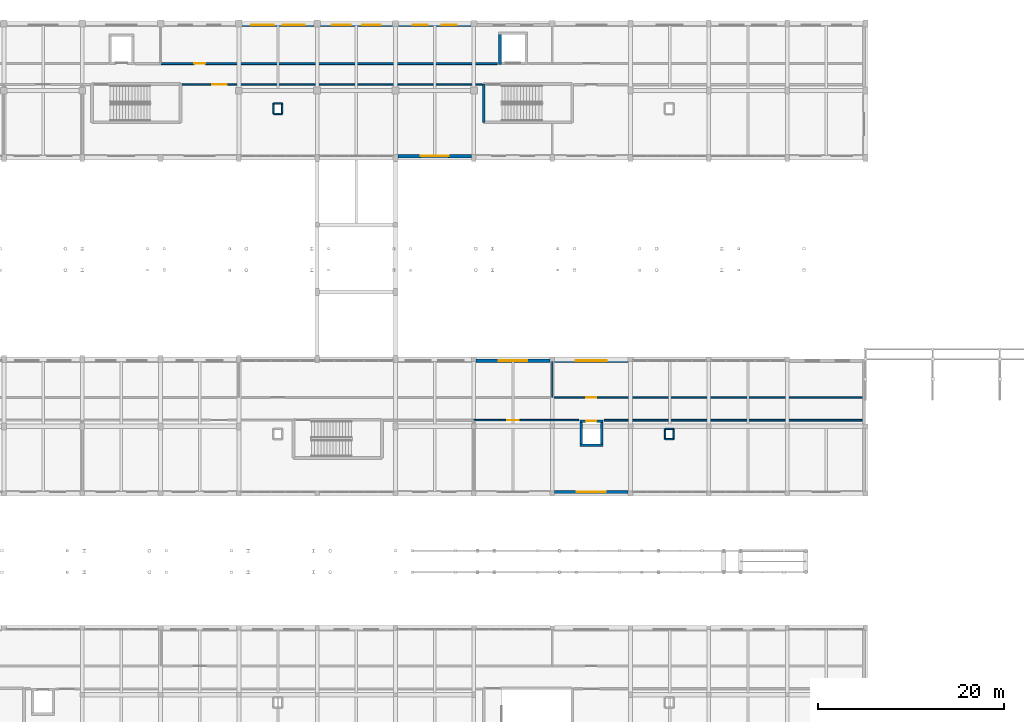
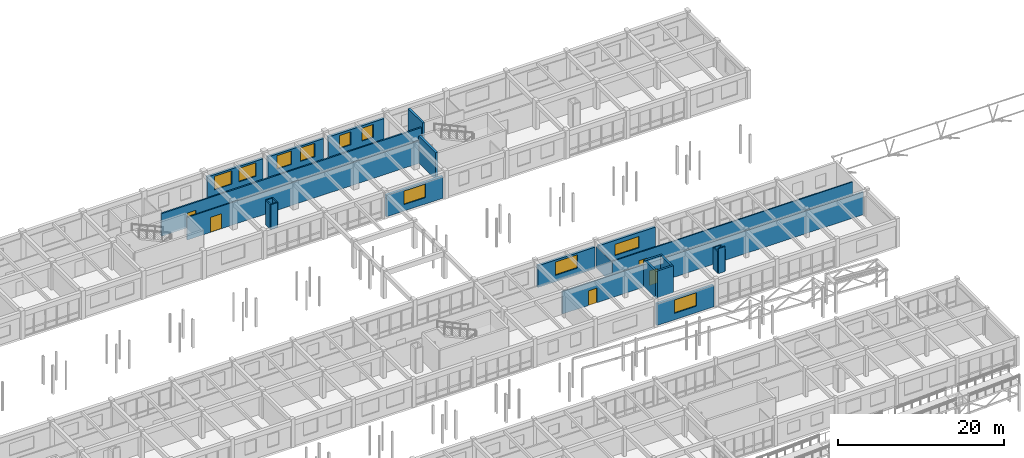
# One storey, part 77 of 90: 27 walls, 10 windows, 5 doors, 15 openings.
"""IFC4 building model written with IfcOpenShell, lengths in metres."""

from ifc_helpers import new_model, si_unit, direction, frame, frame_2d, origin, place, context, subcontext, project, spatial, rectangle, extrude, material, layer, layer_set, type_object, element, fill, save


model = new_model("IFC4")

# Units and contexts
model_context = context("Model", 3, precision=1e-05, world=origin(), true_north=direction((0.0, 1.0)))
body_context = subcontext(model_context, "Body", "Model", "MODEL_VIEW")
ifc_project = project(units=[si_unit("LENGTHUNIT", "METRE"), si_unit("AREAUNIT", "SQUARE_METRE"), si_unit("VOLUMEUNIT", "CUBIC_METRE"), si_unit("PLANEANGLEUNIT", "RADIAN"), si_unit("MASSUNIT", "GRAM", prefix="KILO")], contexts=[model_context])

# Site, building, storey
site_placement = place(None, origin())
site = spatial("IfcSite", under=ifc_project, at=site_placement, CompositionType="ELEMENT")
building_placement = place(site_placement, origin())
building = spatial("IfcBuilding", under=site, at=building_placement, Name="Malvenik Polytechnic", CompositionType="ELEMENT")
storey_placement = place(building_placement, frame((0.0, 0.0, 9.300048828125)))
storey = spatial("IfcBuildingStorey", under=building, at=storey_placement, Name="L02", CompositionType="ELEMENT", Elevation=9.300048828125)

# Walls
ifc_material_1 = material(Name="Concrete C35/45", Category="concrete")
ifc_layer_1 = layer(ifc_material_1, 0.280029296875)
ifc_layer_set_1 = layer_set([ifc_layer_1], Name="Concrete C35/45")
wall_type_1 = type_object("IfcWallType", Name="ARC-CW-S280", PredefinedType="SHEAR", material=ifc_layer_set_1)
wall_1_placement = place(storey_placement, frame((95.199951171875, 125.2099609375, 0.0), z_axis=(0.0, 0.0, 1.0), x_axis=(0.0, 1.0, 0.0)))
element("IfcWall", 1, at=wall_1_placement, inside=storey, type_object=wall_type_1, Name="Lift Shaft Shear Wall LG-01 L02 -X", PredefinedType="SHEAR", context=body_context, shape_type="SweptSolid", body=[
    extrude(rectangle(XDim=3.47998046875, YDim=0.280029296875, at=frame_2d((1.739990234375, 0.0))), origin(), (0.0, 0.0, 1.0), 3.93994140625),
])
wall_2_placement = place(storey_placement, frame((106.239990234375, 84.35009765625, 0.0), z_axis=(0.0, 0.0, 1.0), x_axis=(-1.0, 0.0, 0.0)))
element("IfcWall", 2, at=wall_2_placement, inside=storey, type_object=wall_type_1, Name="Lift Shaft Shear Wall LP-02 L02 -Y", PredefinedType="SHEAR", context=body_context, shape_type="SweptSolid", body=[
    extrude(rectangle(XDim=2.47998046875, YDim=0.280029296875, at=frame_2d((1.239990234375, 0.0))), origin(), (0.0, 0.0, 1.0), 3.93994140625),
])

# Wall, opening, door
wall_3_placement = place(storey_placement, frame((103.760009765625, 86.949951171875, 0.0), z_axis=(0.0, 0.0, 1.0), x_axis=(1.0, 0.0, 0.0)))
wall_3 = element("IfcWall", 3, at=wall_3_placement, inside=storey, type_object=wall_type_1, Name="Lift Shaft Shear Wall LP-02 L02 +Y", PredefinedType="SHEAR", context=body_context, shape_type="SweptSolid", body=[
    extrude(rectangle(XDim=2.47998046875, YDim=0.280029296875, at=frame_2d((1.239990234375, 0.0))), origin(), (0.0, 0.0, 1.0), 3.93994140625),
])
opening_1_placement = place(wall_3_placement, frame((0.68994140625, 0.0, 0.0)))
opening_1 = element("IfcOpeningElement", 4, at=opening_1_placement, cuts=wall_3, Name="Opening LD-01", PredefinedType="OPENING", context=body_context, shape_type="SweptSolid", body=[
    extrude(rectangle(XDim=1.10009765625, YDim=2.14990234375, at=frame_2d((0.550048828125, 1.074951171875))), frame((0.0, 0.14990234375, 0.0), z_axis=(0.0, -1.0, 0.0), x_axis=(1.0, 0.0, 0.0)), (0.0, 0.0, 1.0), 0.300048828125),
])
ifc_material_2 = material(Name="Stainless steel fire-rated sliding lift landing door", Category="steel")
door_type_1 = type_object("IfcDoorType", Name="ARC-LDR-LD-01", OperationType="NOTDEFINED", PredefinedType="DOOR", material=ifc_material_2)
door_1_placement = place(opening_1_placement, origin())
door_1 = element("IfcDoor", 5, at=door_1_placement, inside=storey, type_object=door_type_1, Name="Lift Sliding Landing Door LP-02 L02", OperationType="DOUBLE_DOOR_SLIDING", OverallHeight=2.14990234375, OverallWidth=1.10009765625, PredefinedType="DOOR", context=body_context, shape_type="SweptSolid", body=[
    extrude(rectangle(XDim=1.10009765625, YDim=2.14990234375, at=frame_2d((0.550048828125, 1.074951171875))), frame((0.0, 0.02490234375, 0.0), z_axis=(0.0, -1.0, 0.0), x_axis=(1.0, 0.0, 0.0)), (0.0, 0.0, 1.0), 0.050048828125),
])
fill(opening_1, door_1)

# Walls
for number, where, z_axis, x_axis, name in (
    (6, (103.89990234375, 84.2099609375, 0.0), (0.0, 0.0, 1.0), (0.0, 1.0, 0.0), "Lift Shaft Shear Wall LP-02 L02 -X"),
    (7, (106.10009765625, 87.090087890625, 0.0), (0.0, 0.0, 1.0), (0.0, -1.0, 0.0), "Lift Shaft Shear Wall LP-02 L02 +X"),
):
    element("IfcWall", number, at=place(storey_placement, frame(where, z_axis=z_axis, x_axis=x_axis)), inside=storey, type_object=wall_type_1, Name=name, PredefinedType="SHEAR", context=body_context, shape_type="SweptSolid", body=[
        extrude(rectangle(XDim=2.880126953125, YDim=0.280029296875, at=frame_2d((1.43994140625, 0.0))), origin(), (0.0, 0.0, 1.0), 3.93994140625),
    ])
ifc_layer_2 = layer(ifc_material_1, 0.300048828125)
ifc_layer_set_2 = layer_set([ifc_layer_2], Name="Concrete C35/45")
wall_type_2 = type_object("IfcWallType", Name="ARC-CW-S300", PredefinedType="SHEAR", material=ifc_layer_set_2)
wall_4_placement = place(storey_placement, frame((93.449951171875, 119.0, 0.0), z_axis=(0.0, 0.0, 1.0), x_axis=(0.0, 1.0, 0.0)))
element("IfcWall", 8, at=wall_4_placement, inside=storey, type_object=wall_type_2, Name="Stair Core Shear Wall ST-03 L02 NEAR", PredefinedType="SHEAR", context=body_context, shape_type="SweptSolid", body=[
    extrude(rectangle(XDim=4.10009765625, YDim=0.300048828125, at=frame_2d((2.050048828125, 0.0))), origin(), (0.0, 0.0, 1.0), 3.93994140625),
])

# Wall, opening, window
ifc_material_3 = material(Name="Concrete C30/37", Category="concrete")
ifc_layer_3 = layer(ifc_material_3, 0.340087890625)
ifc_layer_set_3 = layer_set([ifc_layer_3], Name="Concrete C30/37")
wall_type_3 = type_object("IfcWallType", Name="ARC-EW-340", PredefinedType="SOLIDWALL", material=ifc_layer_set_3)
wall_5_placement = place(storey_placement, frame((108.951904296875, 79.3701171875, 0.0), z_axis=(0.0, 0.0, 1.0), x_axis=(-1.0, 0.0, 0.0)))
wall_5 = element("IfcWall", 9, at=wall_5_placement, inside=storey, type_object=wall_type_3, Name="External Facade Wall EW-02 L02 #298", PredefinedType="SOLIDWALL", context=body_context, shape_type="SweptSolid", body=[
    extrude(rectangle(XDim=7.90380859375, YDim=0.340087890625, at=frame_2d((3.951904296875, 0.0))), origin(), (0.0, 0.0, 1.0), 3.179931640625),
])
opening_2_placement = place(wall_5_placement, frame((2.402099609375, 0.0, 0.949951171875)))
opening_2 = element("IfcOpeningElement", 10, at=opening_2_placement, cuts=wall_5, Name="Opening W-29", PredefinedType="OPENING", context=body_context, shape_type="SweptSolid", body=[
    extrude(rectangle(XDim=3.10009765625, YDim=1.949951171875, at=frame_2d((1.550048828125, 0.97509765625))), frame((0.0, 0.18017578125, 0.0), z_axis=(0.0, -1.0, 0.0), x_axis=(1.0, 0.0, 0.0)), (0.0, 0.0, 1.0), 0.360107421875),
])
ifc_material_4 = material(Name="Thermally broken aluminium frame with low-E double glazing", Category="aluminium")
window_type_1 = type_object("IfcWindowType", Name="ARC-WIN-W-29", PartitioningType="SINGLE_PANEL", PredefinedType="WINDOW", material=ifc_material_4)
window_1_placement = place(opening_2_placement, origin())
window_1 = element("IfcWindow", 11, at=window_1_placement, inside=storey, type_object=window_type_1, Name="Punched Window W-29 L02 #269", OverallHeight=1.949951171875, OverallWidth=3.10009765625, PartitioningType="SINGLE_PANEL", PredefinedType="WINDOW", context=body_context, shape_type="SweptSolid", body=[
    extrude(rectangle(XDim=3.10009765625, YDim=1.949951171875, at=frame_2d((1.550048828125, 0.97509765625))), frame((0.0, 0.030029296875, 0.0), z_axis=(0.0, -1.0, 0.0), x_axis=(1.0, 0.0, 0.0)), (0.0, 0.0, 1.0), 0.06005859375),
])
fill(opening_2, window_1)

wall_6_placement = place(storey_placement, frame((92.64794921875, 93.429931640625, 0.0), z_axis=(0.0, 0.0, 1.0), x_axis=(1.0, 0.0, 0.0)))
wall_6 = element("IfcWall", 12, at=wall_6_placement, inside=storey, type_object=wall_type_3, Name="External Facade Wall EW-02 L02 #318", PredefinedType="SOLIDWALL", context=body_context, shape_type="SweptSolid", body=[
    extrude(rectangle(XDim=7.904052734375, YDim=0.340087890625, at=frame_2d((3.9521484375, 0.0))), origin(), (0.0, 0.0, 1.0), 3.179931640625),
])
opening_3_placement = place(wall_6_placement, frame((2.402099609375, 0.0, 0.949951171875)))
opening_3 = element("IfcOpeningElement", 13, at=opening_3_placement, cuts=wall_6, Name="Opening W-29", PredefinedType="OPENING", context=body_context, shape_type="SweptSolid", body=[
    extrude(rectangle(XDim=3.10009765625, YDim=1.949951171875, at=frame_2d((1.550048828125, 0.97509765625))), frame((0.0, 0.18017578125, 0.0), z_axis=(0.0, -1.0, 0.0), x_axis=(1.0, 0.0, 0.0)), (0.0, 0.0, 1.0), 0.360107421875),
])
window_2_placement = place(opening_3_placement, origin())
window_2 = element("IfcWindow", 14, at=window_2_placement, inside=storey, type_object=window_type_1, Name="Punched Window W-29 L02 #301", OverallHeight=1.949951171875, OverallWidth=3.10009765625, PartitioningType="SINGLE_PANEL", PredefinedType="WINDOW", context=body_context, shape_type="SweptSolid", body=[
    extrude(rectangle(XDim=3.10009765625, YDim=1.949951171875, at=frame_2d((1.550048828125, 0.97509765625))), frame((0.0, 0.030029296875, 0.0), z_axis=(0.0, -1.0, 0.0), x_axis=(1.0, 0.0, 0.0)), (0.0, 0.0, 1.0), 0.06005859375),
])
fill(opening_3, window_2)

wall_7_placement = place(storey_placement, frame((101.048095703125, 93.429931640625, 0.0), z_axis=(0.0, 0.0, 1.0), x_axis=(1.0, 0.0, 0.0)))
wall_7 = element("IfcWall", 15, at=wall_7_placement, inside=storey, type_object=wall_type_3, Name="External Facade Wall EW-02 L02 #319", PredefinedType="SOLIDWALL", context=body_context, shape_type="SweptSolid", body=[
    extrude(rectangle(XDim=7.90380859375, YDim=0.340087890625, at=frame_2d((3.951904296875, 0.0))), origin(), (0.0, 0.0, 1.0), 3.179931640625),
])
opening_4_placement = place(wall_7_placement, frame((2.302001953125, 0.0, 0.949951171875)))
opening_4 = element("IfcOpeningElement", 16, at=opening_4_placement, cuts=wall_7, Name="Opening W-30", PredefinedType="OPENING", context=body_context, shape_type="SweptSolid", body=[
    extrude(rectangle(XDim=3.300048828125, YDim=1.64990234375, at=frame_2d((1.64990234375, 0.824951171875))), frame((0.0, 0.18017578125, 0.0), z_axis=(0.0, -1.0, 0.0), x_axis=(1.0, 0.0, 0.0)), (0.0, 0.0, 1.0), 0.360107421875),
])
window_type_2 = type_object("IfcWindowType", Name="ARC-WIN-W-30", PartitioningType="SINGLE_PANEL", PredefinedType="WINDOW", material=ifc_material_4)
window_3_placement = place(opening_4_placement, origin())
window_3 = element("IfcWindow", 17, at=window_3_placement, inside=storey, type_object=window_type_2, Name="Punched Window W-30 L02 #302", OverallHeight=1.64990234375, OverallWidth=3.300048828125, PartitioningType="SINGLE_PANEL", PredefinedType="WINDOW", context=body_context, shape_type="SweptSolid", body=[
    extrude(rectangle(XDim=3.300048828125, YDim=1.64990234375, at=frame_2d((1.64990234375, 0.824951171875))), frame((0.0, 0.030029296875, 0.0), z_axis=(0.0, -1.0, 0.0), x_axis=(1.0, 0.0, 0.0)), (0.0, 0.0, 1.0), 0.06005859375),
])
fill(opening_4, window_3)

wall_8_placement = place(storey_placement, frame((92.152099609375, 115.3701171875, 0.0), z_axis=(0.0, 0.0, 1.0), x_axis=(-1.0, 0.0, 0.0)))
wall_8 = element("IfcWall", 18, at=wall_8_placement, inside=storey, type_object=wall_type_3, Name="External Facade Wall EW-02 L02 #326", PredefinedType="SOLIDWALL", context=body_context, shape_type="SweptSolid", body=[
    extrude(rectangle(XDim=7.904052734375, YDim=0.340087890625, at=frame_2d((3.9521484375, 0.0))), origin(), (0.0, 0.0, 1.0), 3.179931640625),
])
opening_5_placement = place(wall_8_placement, frame((2.451904296875, 0.0, 0.949951171875)))
opening_5 = element("IfcOpeningElement", 19, at=opening_5_placement, cuts=wall_8, Name="Opening W-08", PredefinedType="OPENING", context=body_context, shape_type="SweptSolid", body=[
    extrude(rectangle(XDim=3.0, YDim=1.97998046875, at=frame_2d((1.5, 0.989990234375))), frame((0.0, 0.18017578125, 0.0), z_axis=(0.0, -1.0, 0.0), x_axis=(1.0, 0.0, 0.0)), (0.0, 0.0, 1.0), 0.360107421875),
])
window_type_3 = type_object("IfcWindowType", Name="ARC-WIN-W-08", PartitioningType="SINGLE_PANEL", PredefinedType="WINDOW", material=ifc_material_4)
window_4_placement = place(opening_5_placement, origin())
window_4 = element("IfcWindow", 20, at=window_4_placement, inside=storey, type_object=window_type_3, Name="Punched Window W-08 L02 #312", OverallHeight=1.97998046875, OverallWidth=3.0, PartitioningType="SINGLE_PANEL", PredefinedType="WINDOW", context=body_context, shape_type="SweptSolid", body=[
    extrude(rectangle(XDim=3.0, YDim=1.97998046875, at=frame_2d((1.5, 0.989990234375))), frame((0.0, 0.030029296875, 0.0), z_axis=(0.0, -1.0, 0.0), x_axis=(1.0, 0.0, 0.0)), (0.0, 0.0, 1.0), 0.06005859375),
])
fill(opening_5, window_4)

# Wall, openings, windows
wall_9_placement = place(storey_placement, frame((67.548095703125, 129.429931640625, 0.0), z_axis=(0.0, 0.0, 1.0), x_axis=(1.0, 0.0, 0.0)))
wall_9 = element("IfcWall", 21, at=wall_9_placement, inside=storey, type_object=wall_type_3, Name="External Facade Wall EW-02 L02 #344", PredefinedType="SOLIDWALL", context=body_context, shape_type="SweptSolid", body=[
    extrude(rectangle(XDim=7.703857421875, YDim=0.340087890625, at=frame_2d((3.85205078125, 0.0))), origin(), (0.0, 0.0, 1.0), 3.179931640625),
])
opening_6_placement = place(wall_9_placement, frame((0.968017578125, 0.0, 0.949951171875)))
opening_6 = element("IfcOpeningElement", 22, at=opening_6_placement, cuts=wall_9, Name="Opening W-01", PredefinedType="OPENING", context=body_context, shape_type="SweptSolid", body=[
    extrude(rectangle(XDim=2.39990234375, YDim=1.97998046875, at=frame_2d((1.199951171875, 0.989990234375))), frame((0.0, 0.18017578125, 0.0), z_axis=(0.0, -1.0, 0.0), x_axis=(1.0, 0.0, 0.0)), (0.0, 0.0, 1.0), 0.360107421875),
])
opening_7_placement = place(wall_9_placement, frame((4.3359375, 0.0, 0.949951171875)))
opening_7 = element("IfcOpeningElement", 23, at=opening_7_placement, cuts=wall_9, Name="Opening W-01", PredefinedType="OPENING", context=body_context, shape_type="SweptSolid", body=[
    extrude(rectangle(XDim=2.39990234375, YDim=1.97998046875, at=frame_2d((1.199951171875, 0.989990234375))), frame((0.0, 0.18017578125, 0.0), z_axis=(0.0, -1.0, 0.0), x_axis=(1.0, 0.0, 0.0)), (0.0, 0.0, 1.0), 0.360107421875),
])
window_type_4 = type_object("IfcWindowType", Name="ARC-WIN-W-01", PartitioningType="SINGLE_PANEL", PredefinedType="WINDOW", material=ifc_material_4)
window_5_placement = place(opening_6_placement, origin())
window_5 = element("IfcWindow", 24, at=window_5_placement, inside=storey, type_object=window_type_4, Name="Punched Window W-01 L02 #337", OverallHeight=1.97998046875, OverallWidth=2.39990234375, PartitioningType="SINGLE_PANEL", PredefinedType="WINDOW", context=body_context, shape_type="SweptSolid", body=[
    extrude(rectangle(XDim=2.39990234375, YDim=1.97998046875, at=frame_2d((1.199951171875, 0.989990234375))), frame((0.0, 0.030029296875, 0.0), z_axis=(0.0, -1.0, 0.0), x_axis=(1.0, 0.0, 0.0)), (0.0, 0.0, 1.0), 0.06005859375),
])
fill(opening_6, window_5)
window_6_placement = place(opening_7_placement, origin())
window_6 = element("IfcWindow", 25, at=window_6_placement, inside=storey, type_object=window_type_4, Name="Punched Window W-01 L02 #338", OverallHeight=1.97998046875, OverallWidth=2.39990234375, PartitioningType="SINGLE_PANEL", PredefinedType="WINDOW", context=body_context, shape_type="SweptSolid", body=[
    extrude(rectangle(XDim=2.39990234375, YDim=1.97998046875, at=frame_2d((1.199951171875, 0.989990234375))), frame((0.0, 0.030029296875, 0.0), z_axis=(0.0, -1.0, 0.0), x_axis=(1.0, 0.0, 0.0)), (0.0, 0.0, 1.0), 0.06005859375),
])
fill(opening_7, window_6)

wall_10_placement = place(storey_placement, frame((75.947998046875, 129.429931640625, 0.0), z_axis=(0.0, 0.0, 1.0), x_axis=(1.0, 0.0, 0.0)))
wall_10 = element("IfcWall", 26, at=wall_10_placement, inside=storey, type_object=wall_type_3, Name="External Facade Wall EW-02 L02 #345", PredefinedType="SOLIDWALL", context=body_context, shape_type="SweptSolid", body=[
    extrude(rectangle(XDim=7.72900390625, YDim=0.340087890625, at=frame_2d((3.864501953125, 0.0))), origin(), (0.0, 0.0, 1.0), 3.179931640625),
])
opening_8_placement = place(wall_10_placement, frame((1.242919921875, 0.0, 0.949951171875)))
opening_8 = element("IfcOpeningElement", 27, at=opening_8_placement, cuts=wall_10, Name="Opening W-03", PredefinedType="OPENING", context=body_context, shape_type="SweptSolid", body=[
    extrude(rectangle(XDim=2.0, YDim=1.97998046875, at=frame_2d((1.0, 0.989990234375))), frame((0.0, 0.18017578125, 0.0), z_axis=(0.0, -1.0, 0.0), x_axis=(1.0, 0.0, 0.0)), (0.0, 0.0, 1.0), 0.360107421875),
])
opening_9_placement = place(wall_10_placement, frame((4.486083984375, 0.0, 0.949951171875)))
opening_9 = element("IfcOpeningElement", 28, at=opening_9_placement, cuts=wall_10, Name="Opening W-03", PredefinedType="OPENING", context=body_context, shape_type="SweptSolid", body=[
    extrude(rectangle(XDim=2.0, YDim=1.97998046875, at=frame_2d((1.0, 0.989990234375))), frame((0.0, 0.18017578125, 0.0), z_axis=(0.0, -1.0, 0.0), x_axis=(1.0, 0.0, 0.0)), (0.0, 0.0, 1.0), 0.360107421875),
])
window_type_5 = type_object("IfcWindowType", Name="ARC-WIN-W-03", PartitioningType="SINGLE_PANEL", PredefinedType="WINDOW", material=ifc_material_4)
window_7_placement = place(opening_8_placement, origin())
window_7 = element("IfcWindow", 29, at=window_7_placement, inside=storey, type_object=window_type_5, Name="Punched Window W-03 L02 #339", OverallHeight=1.97998046875, OverallWidth=2.0, PartitioningType="SINGLE_PANEL", PredefinedType="WINDOW", context=body_context, shape_type="SweptSolid", body=[
    extrude(rectangle(XDim=2.0, YDim=1.97998046875, at=frame_2d((1.0, 0.989990234375))), frame((0.0, 0.030029296875, 0.0), z_axis=(0.0, -1.0, 0.0), x_axis=(1.0, 0.0, 0.0)), (0.0, 0.0, 1.0), 0.06005859375),
])
fill(opening_8, window_7)
window_8_placement = place(opening_9_placement, origin())
window_8 = element("IfcWindow", 30, at=window_8_placement, inside=storey, type_object=window_type_5, Name="Punched Window W-03 L02 #340", OverallHeight=1.97998046875, OverallWidth=2.0, PartitioningType="SINGLE_PANEL", PredefinedType="WINDOW", context=body_context, shape_type="SweptSolid", body=[
    extrude(rectangle(XDim=2.0, YDim=1.97998046875, at=frame_2d((1.0, 0.989990234375))), frame((0.0, 0.030029296875, 0.0), z_axis=(0.0, -1.0, 0.0), x_axis=(1.0, 0.0, 0.0)), (0.0, 0.0, 1.0), 0.06005859375),
])
fill(opening_9, window_8)

wall_11_placement = place(storey_placement, frame((84.322998046875, 129.429931640625, 0.0), z_axis=(0.0, 0.0, 1.0), x_axis=(1.0, 0.0, 0.0)))
wall_11 = element("IfcWall", 31, at=wall_11_placement, inside=storey, type_object=wall_type_3, Name="External Facade Wall EW-02 L02 #346", PredefinedType="SOLIDWALL", context=body_context, shape_type="SweptSolid", body=[
    extrude(rectangle(XDim=7.75390625, YDim=0.340087890625, at=frame_2d((3.876953125, 0.0))), origin(), (0.0, 0.0, 1.0), 3.179931640625),
])
opening_10_placement = place(wall_11_placement, frame((1.51806640625, 0.0, 0.949951171875)))
opening_10 = element("IfcOpeningElement", 32, at=opening_10_placement, cuts=wall_11, Name="Opening W-05", PredefinedType="OPENING", context=body_context, shape_type="SweptSolid", body=[
    extrude(rectangle(XDim=1.60009765625, YDim=1.89990234375, at=frame_2d((0.800048828125, 0.949951171875))), frame((0.0, 0.18017578125, 0.0), z_axis=(0.0, -1.0, 0.0), x_axis=(1.0, 0.0, 0.0)), (0.0, 0.0, 1.0), 0.360107421875),
])
opening_11_placement = place(wall_11_placement, frame((4.635986328125, 0.0, 0.949951171875)))
opening_11 = element("IfcOpeningElement", 33, at=opening_11_placement, cuts=wall_11, Name="Opening W-05", PredefinedType="OPENING", context=body_context, shape_type="SweptSolid", body=[
    extrude(rectangle(XDim=1.60009765625, YDim=1.89990234375, at=frame_2d((0.800048828125, 0.949951171875))), frame((0.0, 0.18017578125, 0.0), z_axis=(0.0, -1.0, 0.0), x_axis=(1.0, 0.0, 0.0)), (0.0, 0.0, 1.0), 0.360107421875),
])
window_type_6 = type_object("IfcWindowType", Name="ARC-WIN-W-05", PartitioningType="SINGLE_PANEL", PredefinedType="WINDOW", material=ifc_material_4)
window_9_placement = place(opening_10_placement, origin())
window_9 = element("IfcWindow", 34, at=window_9_placement, inside=storey, type_object=window_type_6, Name="Punched Window W-05 L02 #341", OverallHeight=1.89990234375, OverallWidth=1.60009765625, PartitioningType="SINGLE_PANEL", PredefinedType="WINDOW", context=body_context, shape_type="SweptSolid", body=[
    extrude(rectangle(XDim=1.60009765625, YDim=1.89990234375, at=frame_2d((0.800048828125, 0.949951171875))), frame((0.0, 0.030029296875, 0.0), z_axis=(0.0, -1.0, 0.0), x_axis=(1.0, 0.0, 0.0)), (0.0, 0.0, 1.0), 0.06005859375),
])
fill(opening_10, window_9)
window_10_placement = place(opening_11_placement, origin())
window_10 = element("IfcWindow", 35, at=window_10_placement, inside=storey, type_object=window_type_6, Name="Punched Window W-05 L02 #342", OverallHeight=1.89990234375, OverallWidth=1.60009765625, PartitioningType="SINGLE_PANEL", PredefinedType="WINDOW", context=body_context, shape_type="SweptSolid", body=[
    extrude(rectangle(XDim=1.60009765625, YDim=1.89990234375, at=frame_2d((0.800048828125, 0.949951171875))), frame((0.0, 0.030029296875, 0.0), z_axis=(0.0, -1.0, 0.0), x_axis=(1.0, 0.0, 0.0)), (0.0, 0.0, 1.0), 0.06005859375),
])
fill(opening_11, window_10)

# Wall, opening, door
ifc_material_5 = material(Name="Calcium silicate fire-rated blockwork 200mm", Category="masonry")
ifc_layer_4 = layer(ifc_material_5, 0.199951171875)
ifc_layer_set_4 = layer_set([ifc_layer_4], Name="Calcium silicate fire-rated blockwork 200mm")
wall_type_4 = type_object("IfcWallType", Name="ARC-FW-200", PredefinedType="SOLIDWALL", material=ifc_layer_set_4)
wall_12_placement = place(storey_placement, frame((58.800048828125, 125.300048828125, 0.0), z_axis=(0.0, 0.0, 1.0), x_axis=(1.0, 0.0, 0.0)))
wall_12 = element("IfcWall", 36, at=wall_12_placement, inside=storey, type_object=wall_type_4, Name="Interior Partition FW-02 L02 #242", PredefinedType="SOLIDWALL", context=body_context, shape_type="SweptSolid", body=[
    extrude(rectangle(XDim=36.1298828125, YDim=0.199951171875, at=frame_2d((18.06494140625, 0.0))), origin(), (0.0, 0.0, 1.0), 3.324951171875),
])
opening_12_placement = place(wall_12_placement, frame((3.625, 0.0, 0.0)))
opening_12 = element("IfcOpeningElement", 37, at=opening_12_placement, cuts=wall_12, Name="Opening FD-01", PredefinedType="OPENING", context=body_context, shape_type="SweptSolid", body=[
    extrude(rectangle(XDim=1.14990234375, YDim=2.14990234375, at=frame_2d((0.574951171875, 1.074951171875))), frame((0.0, 0.10986328125, 0.0), z_axis=(0.0, -1.0, 0.0), x_axis=(1.0, 0.0, 0.0)), (0.0, 0.0, 1.0), 0.219970703125),
])
ifc_material_6 = material(Name="Fire-rated timber acoustic corridor door", Category="wood")
door_type_2 = type_object("IfcDoorType", Name="ARC-IDR-FD-01", OperationType="NOTDEFINED", PredefinedType="DOOR", material=ifc_material_6)
door_2_placement = place(opening_12_placement, origin())
door_2 = element("IfcDoor", 38, at=door_2_placement, inside=storey, type_object=door_type_2, Name="Interior Door FD-01 L02 #104", OperationType="SINGLE_SWING_RIGHT", OverallHeight=2.14990234375, OverallWidth=1.14990234375, PredefinedType="DOOR", context=body_context, shape_type="SweptSolid", body=[
    extrude(rectangle(XDim=1.14990234375, YDim=2.14990234375, at=frame_2d((0.574951171875, 1.074951171875))), frame((0.0, 0.02490234375, 0.0), z_axis=(0.0, -1.0, 0.0), x_axis=(1.0, 0.0, 0.0)), (0.0, 0.0, 1.0), 0.050048828125),
])
fill(opening_12, door_2)

# Walls
wall_13_placement = place(storey_placement, frame((134.179931640625, 87.050048828125, 0.0), z_axis=(0.0, 0.0, 1.0), x_axis=(-1.0, 0.0, 0.0)))
element("IfcWall", 39, at=wall_13_placement, inside=storey, type_object=wall_type_4, Name="Interior Partition FW-02 L02 #282", PredefinedType="SOLIDWALL", context=body_context, shape_type="SweptSolid", body=[
    extrude(rectangle(XDim=27.809814453125, YDim=0.199951171875, at=frame_2d((13.90478515625, 0.0))), origin(), (0.0, 0.0, 1.0), 3.324951171875),
])
ifc_material_7 = material(Name="Metal-stud gypsum board partition 125mm", Category="gypsum")
ifc_layer_5 = layer(ifc_material_7, 0.125)
ifc_layer_set_5 = layer_set([ifc_layer_5], Name="Metal-stud gypsum board partition 125mm")
wall_type_5 = type_object("IfcWallType", Name="ARC-PW-125", PredefinedType="PARTITIONING", material=ifc_layer_set_5)
wall_14_placement = place(storey_placement, frame((100.800048828125, 89.5, 0.0), z_axis=(0.0, 0.0, 1.0), x_axis=(0.0, 1.0, 0.0)))
element("IfcWall", 40, at=wall_14_placement, inside=storey, type_object=wall_type_5, Name="Interior Partition PW-03I L02 #268", PredefinedType="PARTITIONING", context=body_context, shape_type="SweptSolid", body=[
    extrude(rectangle(XDim=3.830078125, YDim=0.125, at=frame_2d((1.9150390625, 0.0))), origin(), (0.0, 0.0, 1.0), 3.175048828125),
])
ifc_material_8 = material(Name="Double-stud acoustic gypsum board partition 160mm", Category="gypsum")
ifc_layer_6 = layer(ifc_material_8, 0.159912109375)
ifc_layer_set_6 = layer_set([ifc_layer_6], Name="Double-stud acoustic gypsum board partition 160mm")
wall_type_6 = type_object("IfcWallType", Name="ARC-PW-160", PredefinedType="PARTITIONING", material=ifc_layer_set_6)
for number, where, z_axis, x_axis, name in (
    (41, (70.919921875, 119.919921875, 0.0), (0.0, 0.0, 1.0), (1.0, 0.0, 0.0), "Riser Shaft Enclosure L02 #29S"),
    (42, (71.830078125, 121.030029296875, 0.0), (0.0, 0.0, 1.0), (-1.0, 0.0, 0.0), "Riser Shaft Enclosure L02 #29N"),
):
    element("IfcWall", number, at=place(storey_placement, frame(where, z_axis=z_axis, x_axis=x_axis)), inside=storey, type_object=wall_type_6, Name=name, PredefinedType="PARTITIONING", context=body_context, shape_type="SweptSolid", body=[
        extrude(rectangle(XDim=0.91015625, YDim=0.159912109375, at=frame_2d((0.455078125, 0.0))), origin(), (0.0, 0.0, 1.0), 3.64990234375),
    ])
for number, where, z_axis, x_axis, name in (
    (43, (70.919921875, 121.030029296875, 0.0), (0.0, 0.0, 1.0), (0.0, -1.0, 0.0), "Riser Shaft Enclosure L02 #29W"),
    (44, (71.830078125, 119.919921875, 0.0), (0.0, 0.0, 1.0), (0.0, 1.0, 0.0), "Riser Shaft Enclosure L02 #29E"),
):
    element("IfcWall", number, at=place(storey_placement, frame(where, z_axis=z_axis, x_axis=x_axis)), inside=storey, type_object=wall_type_6, Name=name, PredefinedType="PARTITIONING", context=body_context, shape_type="SweptSolid", body=[
        extrude(rectangle(XDim=1.110107421875, YDim=0.159912109375, at=frame_2d((0.55517578125, 0.0))), origin(), (0.0, 0.0, 1.0), 3.64990234375),
    ])
wall_15_placement = place(storey_placement, frame((112.919921875, 85.02001953125, 0.0), z_axis=(0.0, 0.0, 1.0), x_axis=(1.0, 0.0, 0.0)))
element("IfcWall", 45, at=wall_15_placement, inside=storey, type_object=wall_type_6, Name="Riser Shaft Enclosure L02 #33S", PredefinedType="PARTITIONING", context=body_context, shape_type="SweptSolid", body=[
    extrude(rectangle(XDim=0.91015625, YDim=0.159912109375, at=frame_2d((0.455078125, 0.0))), origin(), (0.0, 0.0, 1.0), 3.64990234375),
])
wall_16_placement = place(storey_placement, frame((113.830078125, 86.1298828125, 0.0), z_axis=(0.0, 0.0, 1.0), x_axis=(-1.0, 0.0, 0.0)))
element("IfcWall", 46, at=wall_16_placement, inside=storey, type_object=wall_type_6, Name="Riser Shaft Enclosure L02 #33N", PredefinedType="PARTITIONING", context=body_context, shape_type="SweptSolid", body=[
    extrude(rectangle(XDim=0.91015625, YDim=0.159912109375, at=frame_2d((0.455078125, 0.0))), origin(), (0.0, 0.0, 1.0), 3.175048828125),
])
for number, where, z_axis, x_axis, name in (
    (47, (112.919921875, 86.1298828125, 0.0), (0.0, 0.0, 1.0), (0.0, -1.0, 0.0), "Riser Shaft Enclosure L02 #33W"),
    (48, (113.830078125, 85.02001953125, 0.0), (0.0, 0.0, 1.0), (0.0, 1.0, 0.0), "Riser Shaft Enclosure L02 #33E"),
):
    element("IfcWall", number, at=place(storey_placement, frame(where, z_axis=z_axis, x_axis=x_axis)), inside=storey, type_object=wall_type_6, Name=name, PredefinedType="PARTITIONING", context=body_context, shape_type="SweptSolid", body=[
        extrude(rectangle(XDim=1.10986328125, YDim=0.159912109375, at=frame_2d((0.554931640625, 0.0))), origin(), (0.0, 0.0, 1.0), 3.175048828125),
    ])

# Wall, opening, door
wall_17_placement = place(storey_placement, frame((93.31005859375, 123.050048828125, 0.0), z_axis=(0.0, 0.0, 1.0), x_axis=(-1.0, 0.0, 0.0)))
wall_17 = element("IfcWall", 49, at=wall_17_placement, inside=storey, type_object=wall_type_6, Name="Interior Partition PW-01I L02 #259", PredefinedType="PARTITIONING", context=body_context, shape_type="SweptSolid", body=[
    extrude(rectangle(XDim=32.219970703125, YDim=0.159912109375, at=frame_2d((16.10986328125, 0.0))), origin(), (0.0, 0.0, 1.0), 3.324951171875),
])
opening_13_placement = place(wall_17_placement, frame((27.43505859375, 0.0, 0.0)))
opening_13 = element("IfcOpeningElement", 50, at=opening_13_placement, cuts=wall_17, Name="Opening FD-09", PredefinedType="OPENING", context=body_context, shape_type="SweptSolid", body=[
    extrude(rectangle(XDim=1.550048828125, YDim=2.199951171875, at=frame_2d((0.77490234375, 1.10009765625))), frame((0.0, 0.08984375, 0.0), z_axis=(0.0, -1.0, 0.0), x_axis=(1.0, 0.0, 0.0)), (0.0, 0.0, 1.0), 0.179931640625),
])
ifc_material_9 = material(Name="Fire-rated studio corridor double door", Category="steel")
door_type_3 = type_object("IfcDoorType", Name="ARC-IDR-FD-09", OperationType="NOTDEFINED", PredefinedType="DOOR", material=ifc_material_9)
door_3_placement = place(opening_13_placement, origin())
door_3 = element("IfcDoor", 51, at=door_3_placement, inside=storey, type_object=door_type_3, Name="Interior Door FD-09 L02 #110", OperationType="DOUBLE_DOOR_SINGLE_SWING", OverallHeight=2.199951171875, OverallWidth=1.550048828125, PredefinedType="DOOR", context=body_context, shape_type="SweptSolid", body=[
    extrude(rectangle(XDim=1.550048828125, YDim=2.199951171875, at=frame_2d((0.77490234375, 1.10009765625))), frame((0.0, 0.02490234375, 0.0), z_axis=(0.0, -1.0, 0.0), x_axis=(1.0, 0.0, 0.0)), (0.0, 0.0, 1.0), 0.050048828125),
])
fill(opening_13, door_3)

wall_18_placement = place(storey_placement, frame((100.800048828125, 89.5, 0.0), z_axis=(0.0, 0.0, 1.0), x_axis=(1.0, 0.0, 0.0)))
wall_18 = element("IfcWall", 52, at=wall_18_placement, inside=storey, type_object=wall_type_6, Name="Interior Partition PW-01I L02 #269", PredefinedType="PARTITIONING", context=body_context, shape_type="SweptSolid", body=[
    extrude(rectangle(XDim=33.3798828125, YDim=0.159912109375, at=frame_2d((16.68994140625, 0.0))), origin(), (0.0, 0.0, 1.0), 3.324951171875),
])
opening_14_placement = place(wall_18_placement, frame((3.675048828125, 0.0, 0.0)))
opening_14 = element("IfcOpeningElement", 53, at=opening_14_placement, cuts=wall_18, Name="Opening FD-05", PredefinedType="OPENING", context=body_context, shape_type="SweptSolid", body=[
    extrude(rectangle(XDim=1.050048828125, YDim=2.14990234375, at=frame_2d((0.52490234375, 1.074951171875))), frame((0.0, 0.08984375, 0.0), z_axis=(0.0, -1.0, 0.0), x_axis=(1.0, 0.0, 0.0)), (0.0, 0.0, 1.0), 0.179931640625),
])
ifc_material_10 = material(Name="Fire-rated archive room door", Category="steel")
door_type_4 = type_object("IfcDoorType", Name="ARC-IDR-FD-05", OperationType="NOTDEFINED", PredefinedType="DOOR", material=ifc_material_10)
door_4_placement = place(opening_14_placement, origin())
door_4 = element("IfcDoor", 54, at=door_4_placement, inside=storey, type_object=door_type_4, Name="Interior Door FD-05 L02 #115", OperationType="SINGLE_SWING_RIGHT", OverallHeight=2.14990234375, OverallWidth=1.050048828125, PredefinedType="DOOR", context=body_context, shape_type="SweptSolid", body=[
    extrude(rectangle(XDim=1.050048828125, YDim=2.14990234375, at=frame_2d((0.52490234375, 1.074951171875))), frame((0.0, 0.02490234375, 0.0), z_axis=(0.0, -1.0, 0.0), x_axis=(1.0, 0.0, 0.0)), (0.0, 0.0, 1.0), 0.050048828125),
])
fill(opening_14, door_4)

wall_19_placement = place(storey_placement, frame((103.6298828125, 87.050048828125, 0.0), z_axis=(0.0, 0.0, 1.0), x_axis=(-1.0, 0.0, 0.0)))
wall_19 = element("IfcWall", 55, at=wall_19_placement, inside=storey, type_object=wall_type_6, Name="Interior Partition PW-01I L02 #283", PredefinedType="PARTITIONING", context=body_context, shape_type="SweptSolid", body=[
    extrude(rectangle(XDim=11.22998046875, YDim=0.159912109375, at=frame_2d((5.614990234375, 0.0))), origin(), (0.0, 0.0, 1.0), 3.324951171875),
])
opening_15_placement = place(wall_19_placement, frame((6.429931640625, 0.0, 0.0)))
opening_15 = element("IfcOpeningElement", 56, at=opening_15_placement, cuts=wall_19, Name="Opening FD-10", PredefinedType="OPENING", context=body_context, shape_type="SweptSolid", body=[
    extrude(rectangle(XDim=1.199951171875, YDim=2.14990234375, at=frame_2d((0.60009765625, 1.074951171875))), frame((0.0, 0.08984375, 0.0), z_axis=(0.0, -1.0, 0.0), x_axis=(1.0, 0.0, 0.0)), (0.0, 0.0, 1.0), 0.179931640625),
])
ifc_material_11 = material(Name="Fire-rated laboratory corridor door", Category="steel")
door_type_5 = type_object("IfcDoorType", Name="ARC-IDR-FD-10", OperationType="NOTDEFINED", PredefinedType="DOOR", material=ifc_material_11)
door_5_placement = place(opening_15_placement, origin())
door_5 = element("IfcDoor", 57, at=door_5_placement, inside=storey, type_object=door_type_5, Name="Interior Door FD-10 L02 #119", OperationType="SINGLE_SWING_LEFT", OverallHeight=2.14990234375, OverallWidth=1.199951171875, PredefinedType="DOOR", context=body_context, shape_type="SweptSolid", body=[
    extrude(rectangle(XDim=1.199951171875, YDim=2.14990234375, at=frame_2d((0.60009765625, 1.074951171875))), frame((0.0, 0.02490234375, 0.0), z_axis=(0.0, -1.0, 0.0), x_axis=(1.0, 0.0, 0.0)), (0.0, 0.0, 1.0), 0.050048828125),
])
fill(opening_15, door_5)

save(model, "model.ifc")
